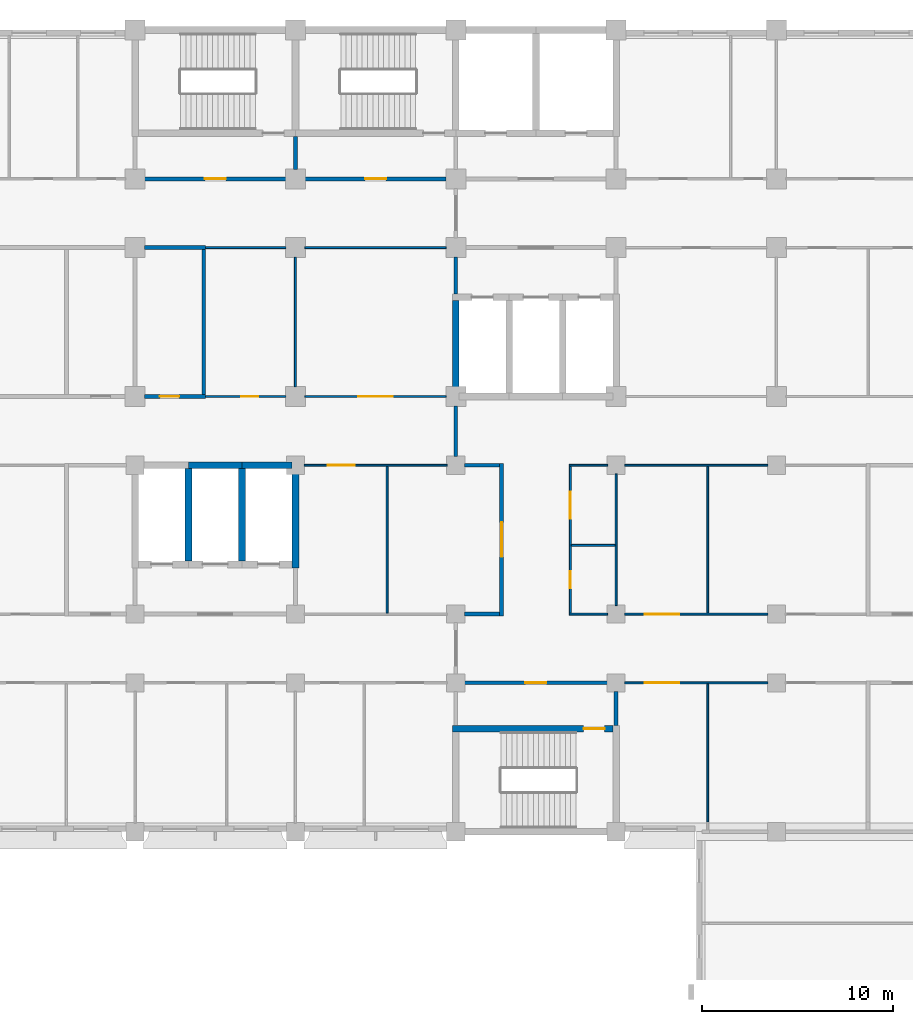
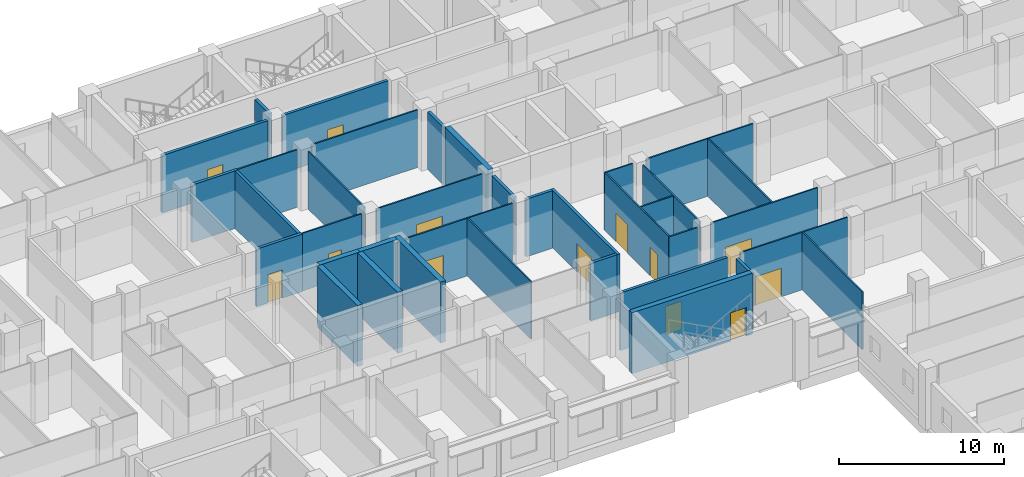
# One storey, part 86 of 136: 37 walls, 13 doors, 13 openings.
"""IFC4 building model written with IfcOpenShell, lengths in metres."""

import ifcopenshell
import ifcopenshell.guid

model = None  # the IFC model being written
_history = None  # IfcOwnerHistory: only IFC2X3 demands one
_inside = {}  # id of a spatial element -> (the spatial element, [elements in it])
_under = {}  # id of a project, library or spatial element -> (it, [spatial elements below it])
_declared = {}  # id of a project -> (the project, [libraries it declares])
_typed = {}  # id of a type object -> (the type object, [elements of that type])
_made_of = {}  # id of a material, layer set ... -> (it, [elements and type objects made of it])


def new_model(schema):
    """Start an empty IFC model of exactly this schema.

    Asked for "IFC4X3", IfcOpenShell would pick the latest addendum, in which some entities
    have other attributes; the version numbers below select the first issue.
    IFC2X3 requires an IfcOwnerHistory on every rooted entity: one is made here for all.
    """
    global model, _history
    if schema == "IFC4X3":
        model = ifcopenshell.file(schema_version=(4, 3, 0, 0))
    else:
        model = ifcopenshell.file(schema=schema)
    _inside.clear()
    _under.clear()
    _declared.clear()
    _typed.clear()
    _made_of.clear()
    _history = None
    if model.schema == "IFC2X3":
        org = make("IfcOrganization", Name="unknown")
        user = make(
            "IfcPersonAndOrganization",
            ThePerson=make("IfcPerson", FamilyName="unknown"),
            TheOrganization=org,
        )
        app = make(
            "IfcApplication",
            ApplicationDeveloper=org,
            Version="unknown",
            ApplicationFullName="unknown",
            ApplicationIdentifier="unknown",
        )
        _history = make(
            "IfcOwnerHistory",
            OwningUser=user,
            OwningApplication=app,
            ChangeAction="ADDED",
            CreationDate=0,
        )
    return model


def make(cls, **values):
    """One entity of the class cls with the attributes given. An attribute that is None is left unset."""
    return model.create_entity(
        cls, **{name: value for name, value in values.items() if value is not None}
    )


def rooted(cls, **values):
    """An entity with a GlobalId (a new one), such as an element, a storey or a relation."""
    return make(cls, GlobalId=ifcopenshell.guid.new(), OwnerHistory=_history, **values)


def si_unit(unit_type, name, prefix=None):
    """IfcSIUnit, for example si_unit("LENGTHUNIT", "METRE", prefix="MILLI")."""
    return make("IfcSIUnit", UnitType=unit_type, Prefix=prefix, Name=name)


def assignment(units):
    """IfcUnitAssignment: the units of a project."""
    return None if units is None else make("IfcUnitAssignment", Units=units)


def point(xyz):
    """IfcCartesianPoint."""
    return None if xyz is None else make("IfcCartesianPoint", Coordinates=xyz)


def direction(xyz):
    """IfcDirection."""
    return None if xyz is None else make("IfcDirection", DirectionRatios=xyz)


def frame(location, z_axis=None, x_axis=None):
    """IfcAxis2Placement3D, a coordinate frame: its origin and axes. An axis left out is left unset."""
    return make(
        "IfcAxis2Placement3D",
        Location=point(location),
        Axis=direction(z_axis),
        RefDirection=direction(x_axis),
    )


def frame_2d(location, x_axis=None):
    """IfcAxis2Placement2D, a coordinate frame in the plane: its origin and x axis."""
    return make(
        "IfcAxis2Placement2D", Location=point(location), RefDirection=direction(x_axis)
    )


def origin():
    """The frame at (0, 0, 0) with its axes left unset."""
    return frame((0.0, 0.0, 0.0))


def place(relative_to, where):
    """IfcLocalPlacement: puts the frame where relative to a parent placement (None: the world)."""
    return make(
        "IfcLocalPlacement", PlacementRelTo=relative_to, RelativePlacement=where
    )


def context(
    kind, dimensions, precision=None, world=None, true_north=None, identifier=None
):
    """IfcGeometricRepresentationContext, for example the 3D "Model" context."""
    return make(
        "IfcGeometricRepresentationContext",
        ContextIdentifier=identifier,
        ContextType=kind,
        CoordinateSpaceDimension=dimensions,
        Precision=precision,
        WorldCoordinateSystem=world,
        TrueNorth=true_north,
    )


def subcontext(parent, identifier, kind, view, scale=None):
    """IfcGeometricRepresentationSubContext, for example "Body" below "Model"."""
    return make(
        "IfcGeometricRepresentationSubContext",
        ContextIdentifier=identifier,
        ContextType=kind,
        ParentContext=parent,
        TargetScale=scale,
        TargetView=view,
    )


def project(units=None, contexts=None):
    """IfcProject with its units and contexts."""
    return rooted(
        "IfcProject",
        Name="project",
        RepresentationContexts=contexts,
        UnitsInContext=assignment(units),
    )


def spatial(cls, under=None, at=None, **own):
    """A site, building, storey or space (cls), placed at a placement, below another one or the project."""
    s = rooted(cls, ObjectPlacement=at, **own)
    if under is not None:
        _under.setdefault(under.id(), (under, []))[1].append(s)
    return s


def profile(cls, at=None, kind="AREA", **sizes):
    """A parametric profile (cls). Its sizes go by their IFC names, for example OverallWidth=200.0."""
    return make(cls, ProfileType=kind, Position=at, **sizes)


def rectangle(**sizes):
    """IfcRectangleProfileDef."""
    return profile("IfcRectangleProfileDef", **sizes)


def extrude(swept, where, along, depth):
    """IfcExtrudedAreaSolid: the profile swept, set in the frame where, extruded along a direction by depth."""
    return make(
        "IfcExtrudedAreaSolid",
        SweptArea=swept,
        Position=where,
        ExtrudedDirection=direction(along),
        Depth=depth,
    )


def shape(context_of_items, identifier, shape_type, items):
    """IfcShapeRepresentation: the items that make up one representation, for example the "Body"."""
    return make(
        "IfcShapeRepresentation",
        ContextOfItems=context_of_items,
        RepresentationIdentifier=identifier,
        RepresentationType=shape_type,
        Items=items,
    )


def material(Name=None, Category=None):
    """IfcMaterial."""
    return make("IfcMaterial", Name=Name, Category=Category)


def layer(
    of_material, thickness, ventilated=None, Name=None, Category=None, Priority=None
):
    """IfcMaterialLayer: one layer of a wall or slab, of a material (None: an air gap)."""
    return make(
        "IfcMaterialLayer",
        Material=of_material,
        LayerThickness=thickness,
        IsVentilated=ventilated,
        Name=Name,
        Category=Category,
        Priority=Priority,
    )


def layer_set(layers, Name=None):
    """IfcMaterialLayerSet."""
    return make("IfcMaterialLayerSet", MaterialLayers=layers, LayerSetName=Name)


def made_of(thing, what):
    """Note that an element or type object is made of a material, layer set ...; save() writes the relation."""
    if what is not None:
        _made_of.setdefault(what.id(), (what, []))[1].append(thing)
    return thing


def type_object(cls, material=None, **own):
    """A type object (cls), such as IfcWallType, which elements share."""
    return made_of(rooted(cls, **own), material)


def element(
    cls,
    number,
    at=None,
    inside=None,
    cuts=None,
    type_object=None,
    material=None,
    context=None,
    identifier="Body",
    shape_type=None,
    held_by="IfcProductDefinitionShape",
    body=None,
    shapes=None,
    **own,
):
    """One element of the class cls, such as IfcWall. Its Tag is "e" and its number.

    at: its placement. inside: the storey or other place that contains it. cuts: it is an
    opening in that element (IfcRelVoidsElement). A single representation is given by context,
    identifier, shape_type and body (its items); several are given by shapes. held_by: the class
    of the entity that holds the representations. save() writes the other relations.
    """
    e = rooted(cls, Tag="e%d" % number, ObjectPlacement=at, **own)
    if body is not None:
        shapes = [shape(context, identifier, shape_type, body)]
    if shapes is not None:
        e.Representation = make(held_by, Representations=shapes)
    if inside is not None:
        _inside.setdefault(inside.id(), (inside, []))[1].append(e)
    if cuts is not None:
        rooted(
            "IfcRelVoidsElement", RelatingBuildingElement=cuts, RelatedOpeningElement=e
        )
    if type_object is not None:
        _typed.setdefault(type_object.id(), (type_object, []))[1].append(e)
    return made_of(e, material)


def fill(opening, filler):
    """IfcRelFillsElement: the door or window that sits in an opening."""
    return rooted(
        "IfcRelFillsElement",
        RelatingOpeningElement=opening,
        RelatedBuildingElement=filler,
    )


def aggregate(whole, parts):
    """IfcRelAggregates: a whole, such as a stair, and the parts it consists of."""
    return rooted("IfcRelAggregates", RelatingObject=whole, RelatedObjects=parts)


def save(model, path):
    """Write the relations noted so far, then the file.

    IfcRelAggregates (storeys below a building ...), IfcRelContainedInSpatialStructure (elements
    in a storey), IfcRelDefinesByType, IfcRelAssociatesMaterial and IfcRelDeclares: one each for
    every whole, place, type object, material and project.
    """
    for whole, parts in _under.values():
        aggregate(whole, parts)
    for where, things in _inside.values():
        rooted(
            "IfcRelContainedInSpatialStructure",
            RelatedElements=things,
            RelatingStructure=where,
        )
    for kind, things in _typed.values():
        rooted("IfcRelDefinesByType", RelatedObjects=things, RelatingType=kind)
    for what, things in _made_of.values():
        rooted("IfcRelAssociatesMaterial", RelatedObjects=things, RelatingMaterial=what)
    for by, libraries in _declared.values():
        rooted("IfcRelDeclares", RelatingContext=by, RelatedDefinitions=libraries)
    model.write(path)


model = new_model("IFC4")

# Units and contexts
model_context = context("Model", 3, precision=1e-05, world=origin(), true_north=direction((0.0, 1.0)))
body_context = subcontext(model_context, "Body", "Model", "MODEL_VIEW")
ifc_project = project(units=[si_unit("LENGTHUNIT", "METRE"), si_unit("AREAUNIT", "SQUARE_METRE"), si_unit("VOLUMEUNIT", "CUBIC_METRE"), si_unit("PLANEANGLEUNIT", "RADIAN"), si_unit("MASSUNIT", "GRAM", prefix="KILO")], contexts=[model_context])

# Site, building, storey
site_placement = place(None, origin())
site = spatial("IfcSite", under=ifc_project, at=site_placement, CompositionType="ELEMENT")
building_placement = place(site_placement, origin())
building = spatial("IfcBuilding", under=site, at=building_placement, Name="Bougainvillea Quay General Hospital", CompositionType="ELEMENT")
storey_placement = place(building_placement, frame((0.0, 0.0, 5.39990234375)))
storey = spatial("IfcBuildingStorey", under=building, at=storey_placement, Name="L01", CompositionType="ELEMENT", Elevation=5.39990234375)

# Wall, opening, door
ifc_material_1 = material(Name="Gypsum board partition on steel studs", Category="steel")
ifc_layer_1 = layer(ifc_material_1, 0.10009765625)
ifc_layer_set_1 = layer_set([ifc_layer_1], Name="Gypsum board partition on steel studs")
wall_type_1 = type_object("IfcWallType", Name="Partition 100 Gypsum board partition", PredefinedType="PARTITIONING", material=ifc_layer_set_1)
wall_1_placement = place(storey_placement, frame((150.75, 136.800048828125, 0.0), z_axis=(0.0, 0.0, 1.0), x_axis=(-1.0, 0.0, 0.0)))
wall_1 = element("IfcWall", 1, at=wall_1_placement, inside=storey, type_object=wall_type_1, Name="Partition 100 mm", PredefinedType="PARTITIONING", context=body_context, shape_type="SweptSolid", body=[
    extrude(rectangle(XDim=7.5, YDim=0.10009765625, at=frame_2d((3.75, 0.0))), origin(), (0.0, 0.0, 1.0), 4.25),
])
opening_1_placement = place(wall_1_placement, frame((4.85009765625, 0.0, 0.0)))
opening_1 = element("IfcOpeningElement", 2, at=opening_1_placement, cuts=wall_1, Name="Opening L01.165", PredefinedType="OPENING", context=body_context, shape_type="SweptSolid", body=[
    extrude(rectangle(XDim=1.39990234375, YDim=2.10009765625, at=frame_2d((0.699951171875, 1.050048828125))), frame((0.0, 0.06005859375, 0.0), z_axis=(0.0, -1.0, 0.0), x_axis=(1.0, 0.0, 0.0)), (0.0, 0.0, 1.0), 0.1201171875),
])
ifc_material_2 = material(Name="Solid-core timber door leaves in steel frame", Category="steel")
door_type_1 = type_object("IfcDoorType", Name="Bed door pair 1400x2100", OperationType="DOUBLE_DOOR_SINGLE_SWING", PredefinedType="DOOR", material=ifc_material_2)
door_1_placement = place(opening_1_placement, origin())
door_1 = element("IfcDoor", 3, at=door_1_placement, inside=storey, type_object=door_type_1, Name="DT09 L01.165", OperationType="DOUBLE_DOOR_SINGLE_SWING", OverallHeight=2.10009765625, OverallWidth=1.39990234375, PredefinedType="DOOR", context=body_context, shape_type="SweptSolid", body=[
    extrude(rectangle(XDim=1.39990234375, YDim=2.10009765625, at=frame_2d((0.699951171875, 1.050048828125))), frame((0.0, 0.02490234375, 0.0), z_axis=(0.0, -1.0, 0.0), x_axis=(1.0, 0.0, 0.0)), (0.0, 0.0, 1.0), 0.050048828125),
])
fill(opening_1, door_1)

wall_2_placement = place(storey_placement, frame((167.550048828125, 129.0, 0.0), z_axis=(0.0, 0.0, 1.0), x_axis=(-1.0, 0.0, 0.0)))
wall_2 = element("IfcWall", 4, at=wall_2_placement, inside=storey, type_object=wall_type_1, Name="Partition 100 mm", PredefinedType="PARTITIONING", context=body_context, shape_type="SweptSolid", body=[
    extrude(rectangle(XDim=7.5, YDim=0.10009765625, at=frame_2d((3.75, 0.0))), origin(), (0.0, 0.0, 1.0), 4.25),
])
opening_2_placement = place(wall_2_placement, frame((4.64990234375, 0.0, 0.0)))
opening_2 = element("IfcOpeningElement", 5, at=opening_2_placement, cuts=wall_2, Name="Opening L01.174", PredefinedType="OPENING", context=body_context, shape_type="SweptSolid", body=[
    extrude(rectangle(XDim=1.800048828125, YDim=2.10009765625, at=frame_2d((0.89990234375, 1.050048828125))), frame((0.0, 0.06005859375, 0.0), z_axis=(0.0, -1.0, 0.0), x_axis=(1.0, 0.0, 0.0)), (0.0, 0.0, 1.0), 0.1201171875),
])
door_type_2 = type_object("IfcDoorType", Name="Double leaf door 1800x2100", OperationType="DOUBLE_DOOR_SINGLE_SWING", PredefinedType="DOOR", material=ifc_material_2)
door_2_placement = place(opening_2_placement, frame((1.800048828125, 0.0, 0.0), z_axis=(0.0, 0.0, 1.0), x_axis=(-1.0, 0.0, 0.0)))
door_2 = element("IfcDoor", 6, at=door_2_placement, inside=storey, type_object=door_type_2, Name="DT08 L01.174", OperationType="DOUBLE_DOOR_SINGLE_SWING", OverallHeight=2.10009765625, OverallWidth=1.800048828125, PredefinedType="DOOR", context=body_context, shape_type="SweptSolid", body=[
    extrude(rectangle(XDim=1.800048828125, YDim=2.10009765625, at=frame_2d((0.89990234375, 1.050048828125))), frame((0.0, 0.02490234375, 0.0), z_axis=(0.0, -1.0, 0.0), x_axis=(1.0, 0.0, 0.0)), (0.0, 0.0, 1.0), 0.050048828125),
])
fill(opening_2, door_2)

# Walls
wall_3_placement = place(storey_placement, frame((159.14990234375, 129.0, 0.0), z_axis=(0.0, 0.0, 1.0), x_axis=(-1.0, 0.0, 0.0)))
element("IfcWall", 7, at=wall_3_placement, inside=storey, type_object=wall_type_1, Name="Partition 100 mm", PredefinedType="PARTITIONING", context=body_context, shape_type="SweptSolid", body=[
    extrude(rectangle(XDim=2.0, YDim=0.10009765625, at=frame_2d((1.0, 0.0))), origin(), (0.0, 0.0, 1.0), 4.25),
])
wall_4_placement = place(storey_placement, frame((167.550048828125, 136.800048828125, 0.0), z_axis=(0.0, 0.0, 1.0), x_axis=(-1.0, 0.0, 0.0)))
element("IfcWall", 8, at=wall_4_placement, inside=storey, type_object=wall_type_1, Name="Partition 100 mm", PredefinedType="PARTITIONING", context=body_context, shape_type="SweptSolid", body=[
    extrude(rectangle(XDim=7.5, YDim=0.10009765625, at=frame_2d((3.75, 0.0))), origin(), (0.0, 0.0, 1.0), 4.25),
])
wall_5_placement = place(storey_placement, frame((159.14990234375, 136.800048828125, 0.0), z_axis=(0.0, 0.0, 1.0), x_axis=(-1.0, 0.0, 0.0)))
element("IfcWall", 9, at=wall_5_placement, inside=storey, type_object=wall_type_1, Name="Partition 100 mm", PredefinedType="PARTITIONING", context=body_context, shape_type="SweptSolid", body=[
    extrude(rectangle(XDim=2.0, YDim=0.10009765625, at=frame_2d((1.0, 0.0))), origin(), (0.0, 0.0, 1.0), 4.25),
])

# Wall, opening, door
wall_6_placement = place(storey_placement, frame((160.050048828125, 125.39990234375, 0.0), z_axis=(0.0, 0.0, 1.0), x_axis=(1.0, 0.0, 0.0)))
wall_6 = element("IfcWall", 10, at=wall_6_placement, inside=storey, type_object=wall_type_1, Name="Partition 100 mm", PredefinedType="PARTITIONING", context=body_context, shape_type="SweptSolid", body=[
    extrude(rectangle(XDim=7.5, YDim=0.10009765625, at=frame_2d((3.75, 0.0))), origin(), (0.0, 0.0, 1.0), 4.25),
])
opening_3_placement = place(wall_6_placement, frame((1.050048828125, 0.0, 0.0)))
opening_3 = element("IfcOpeningElement", 11, at=opening_3_placement, cuts=wall_6, Name="Opening L01.169", PredefinedType="OPENING", context=body_context, shape_type="SweptSolid", body=[
    extrude(rectangle(XDim=1.800048828125, YDim=2.10009765625, at=frame_2d((0.89990234375, 1.050048828125))), frame((0.0, 0.06005859375, 0.0), z_axis=(0.0, -1.0, 0.0), x_axis=(1.0, 0.0, 0.0)), (0.0, 0.0, 1.0), 0.1201171875),
])
door_3_placement = place(opening_3_placement, frame((1.800048828125, 0.0, 0.0), z_axis=(0.0, 0.0, 1.0), x_axis=(-1.0, 0.0, 0.0)))
door_3 = element("IfcDoor", 12, at=door_3_placement, inside=storey, type_object=door_type_2, Name="DT08 L01.169", OperationType="DOUBLE_DOOR_SINGLE_SWING", OverallHeight=2.10009765625, OverallWidth=1.800048828125, PredefinedType="DOOR", context=body_context, shape_type="SweptSolid", body=[
    extrude(rectangle(XDim=1.800048828125, YDim=2.10009765625, at=frame_2d((0.89990234375, 1.050048828125))), frame((0.0, 0.02490234375, 0.0), z_axis=(0.0, -1.0, 0.0), x_axis=(1.0, 0.0, 0.0)), (0.0, 0.0, 1.0), 0.050048828125),
])
fill(opening_3, door_3)

wall_7_placement = place(storey_placement, frame((138.10009765625, 140.39990234375, 0.0), z_axis=(0.0, 0.0, 1.0), x_axis=(1.0, 0.0, 0.0)))
wall_7 = element("IfcWall", 13, at=wall_7_placement, inside=storey, type_object=wall_type_1, Name="Partition 100 mm", PredefinedType="PARTITIONING", context=body_context, shape_type="SweptSolid", body=[
    extrude(rectangle(XDim=4.199951171875, YDim=0.10009765625, at=frame_2d((2.10009765625, 0.0))), origin(), (0.0, 0.0, 1.0), 4.25),
])
opening_4_placement = place(wall_7_placement, frame((1.85009765625, 0.0, 0.0)))
opening_4 = element("IfcOpeningElement", 14, at=opening_4_placement, cuts=wall_7, Name="Opening L01.208", PredefinedType="OPENING", context=body_context, shape_type="SweptSolid", body=[
    extrude(rectangle(XDim=0.89990234375, YDim=2.10009765625, at=frame_2d((0.449951171875, 1.050048828125))), frame((0.0, 0.06005859375, 0.0), z_axis=(0.0, -1.0, 0.0), x_axis=(1.0, 0.0, 0.0)), (0.0, 0.0, 1.0), 0.1201171875),
])
ifc_material_3 = material(Name="Solid-core timber door leaf in steel frame", Category="steel")
door_type_3 = type_object("IfcDoorType", Name="Single leaf door 900x2100", OperationType="NOTDEFINED", PredefinedType="DOOR", material=ifc_material_3)
door_4_placement = place(opening_4_placement, origin())
door_4 = element("IfcDoor", 15, at=door_4_placement, inside=storey, type_object=door_type_3, Name="DT07 L01.208", OperationType="SINGLE_SWING_RIGHT", OverallHeight=2.10009765625, OverallWidth=0.89990234375, PredefinedType="DOOR", context=body_context, shape_type="SweptSolid", body=[
    extrude(rectangle(XDim=0.89990234375, YDim=2.10009765625, at=frame_2d((0.449951171875, 1.050048828125))), frame((0.0, 0.02490234375, 0.0), z_axis=(0.0, -1.0, 0.0), x_axis=(1.0, 0.0, 0.0)), (0.0, 0.0, 1.0), 0.050048828125),
])
fill(opening_4, door_4)

wall_8_placement = place(storey_placement, frame((143.300048828125, 140.39990234375, 0.0), z_axis=(0.0, 0.0, 1.0), x_axis=(1.0, 0.0, 0.0)))
wall_8 = element("IfcWall", 16, at=wall_8_placement, inside=storey, type_object=wall_type_1, Name="Partition 100 mm", PredefinedType="PARTITIONING", context=body_context, shape_type="SweptSolid", body=[
    extrude(rectangle(XDim=7.39990234375, YDim=0.10009765625, at=frame_2d((3.699951171875, 0.0))), origin(), (0.0, 0.0, 1.0), 4.25),
])
opening_5_placement = place(wall_8_placement, frame((2.800048828125, 0.0, 0.0)))
opening_5 = element("IfcOpeningElement", 17, at=opening_5_placement, cuts=wall_8, Name="Opening L01.209", PredefinedType="OPENING", context=body_context, shape_type="SweptSolid", body=[
    extrude(rectangle(XDim=1.800048828125, YDim=2.10009765625, at=frame_2d((0.89990234375, 1.050048828125))), frame((0.0, 0.06005859375, 0.0), z_axis=(0.0, -1.0, 0.0), x_axis=(1.0, 0.0, 0.0)), (0.0, 0.0, 1.0), 0.1201171875),
])
door_5_placement = place(opening_5_placement, origin())
door_5 = element("IfcDoor", 18, at=door_5_placement, inside=storey, type_object=door_type_2, Name="DT08 L01.209", OperationType="DOUBLE_DOOR_SINGLE_SWING", OverallHeight=2.10009765625, OverallWidth=1.800048828125, PredefinedType="DOOR", context=body_context, shape_type="SweptSolid", body=[
    extrude(rectangle(XDim=1.800048828125, YDim=2.10009765625, at=frame_2d((0.89990234375, 1.050048828125))), frame((0.0, 0.02490234375, 0.0), z_axis=(0.0, -1.0, 0.0), x_axis=(1.0, 0.0, 0.0)), (0.0, 0.0, 1.0), 0.050048828125),
])
fill(opening_5, door_5)

# Walls
wall_9_placement = place(storey_placement, frame((138.10009765625, 148.199951171875, 0.0), z_axis=(0.0, 0.0, 1.0), x_axis=(1.0, 0.0, 0.0)))
element("IfcWall", 19, at=wall_9_placement, inside=storey, type_object=wall_type_1, Name="Partition 100 mm", PredefinedType="PARTITIONING", context=body_context, shape_type="SweptSolid", body=[
    extrude(rectangle(XDim=4.199951171875, YDim=0.10009765625, at=frame_2d((2.10009765625, 0.0))), origin(), (0.0, 0.0, 1.0), 4.25),
])
wall_10_placement = place(storey_placement, frame((143.300048828125, 148.199951171875, 0.0), z_axis=(0.0, 0.0, 1.0), x_axis=(1.0, 0.0, 0.0)))
element("IfcWall", 20, at=wall_10_placement, inside=storey, type_object=wall_type_1, Name="Partition 100 mm", PredefinedType="PARTITIONING", context=body_context, shape_type="SweptSolid", body=[
    extrude(rectangle(XDim=7.39990234375, YDim=0.10009765625, at=frame_2d((3.699951171875, 0.0))), origin(), (0.0, 0.0, 1.0), 4.25),
])
wall_11_placement = place(storey_placement, frame((147.60009765625, 129.050048828125, 0.0), z_axis=(0.0, 0.0, 1.0), x_axis=(0.0, 1.0, 0.0)))
element("IfcWall", 21, at=wall_11_placement, inside=storey, type_object=wall_type_1, Name="Partition 100 mm", PredefinedType="PARTITIONING", context=body_context, shape_type="SweptSolid", body=[
    extrude(rectangle(XDim=7.699951171875, YDim=0.10009765625, at=frame_2d((3.85009765625, 0.0))), origin(), (0.0, 0.0, 1.0), 4.25),
])

# Wall, openings, doors
wall_12_placement = place(storey_placement, frame((157.199951171875, 129.050048828125, 0.0), z_axis=(0.0, 0.0, 1.0), x_axis=(0.0, 1.0, 0.0)))
wall_12 = element("IfcWall", 22, at=wall_12_placement, inside=storey, type_object=wall_type_1, Name="Partition 100 mm", PredefinedType="PARTITIONING", context=body_context, shape_type="SweptSolid", body=[
    extrude(rectangle(XDim=7.699951171875, YDim=0.10009765625, at=frame_2d((3.85009765625, 0.0))), origin(), (0.0, 0.0, 1.0), 4.25),
])
opening_6_placement = place(wall_12_placement, frame((1.300048828125, 0.0, 0.0)))
opening_6 = element("IfcOpeningElement", 23, at=opening_6_placement, cuts=wall_12, Name="Opening L01.167", PredefinedType="OPENING", context=body_context, shape_type="SweptSolid", body=[
    extrude(rectangle(XDim=0.89990234375, YDim=2.10009765625, at=frame_2d((0.449951171875, 1.050048828125))), frame((0.0, 0.06005859375, 0.0), z_axis=(0.0, -1.0, 0.0), x_axis=(1.0, 0.0, 0.0)), (0.0, 0.0, 1.0), 0.1201171875),
])
opening_7_placement = place(wall_12_placement, frame((4.949951171875, 0.0, 0.0)))
opening_7 = element("IfcOpeningElement", 24, at=opening_7_placement, cuts=wall_12, Name="Opening L01.168", PredefinedType="OPENING", context=body_context, shape_type="SweptSolid", body=[
    extrude(rectangle(XDim=1.39990234375, YDim=2.10009765625, at=frame_2d((0.699951171875, 1.050048828125))), frame((0.0, 0.06005859375, 0.0), z_axis=(0.0, -1.0, 0.0), x_axis=(1.0, 0.0, 0.0)), (0.0, 0.0, 1.0), 0.1201171875),
])
door_6_placement = place(opening_7_placement, frame((1.39990234375, 0.0, 0.0), z_axis=(0.0, 0.0, 1.0), x_axis=(-1.0, 0.0, 0.0)))
door_6 = element("IfcDoor", 25, at=door_6_placement, inside=storey, type_object=door_type_1, Name="DT09 L01.168", OperationType="DOUBLE_DOOR_SINGLE_SWING", OverallHeight=2.10009765625, OverallWidth=1.39990234375, PredefinedType="DOOR", context=body_context, shape_type="SweptSolid", body=[
    extrude(rectangle(XDim=1.39990234375, YDim=2.10009765625, at=frame_2d((0.699951171875, 1.050048828125))), frame((0.0, 0.02490234375, 0.0), z_axis=(0.0, -1.0, 0.0), x_axis=(1.0, 0.0, 0.0)), (0.0, 0.0, 1.0), 0.050048828125),
])
fill(opening_7, door_6)
door_7_placement = place(opening_6_placement, frame((0.89990234375, 0.0, 0.0), z_axis=(0.0, 0.0, 1.0), x_axis=(-1.0, 0.0, 0.0)))
door_7 = element("IfcDoor", 26, at=door_7_placement, inside=storey, type_object=door_type_3, Name="DT07 L01.167", OperationType="SINGLE_SWING_RIGHT", OverallHeight=2.10009765625, OverallWidth=0.89990234375, PredefinedType="DOOR", context=body_context, shape_type="SweptSolid", body=[
    extrude(rectangle(XDim=0.89990234375, YDim=2.10009765625, at=frame_2d((0.449951171875, 1.050048828125))), frame((0.0, 0.02490234375, 0.0), z_axis=(0.0, -1.0, 0.0), x_axis=(1.0, 0.0, 0.0)), (0.0, 0.0, 1.0), 0.050048828125),
])
fill(opening_6, door_7)

# Walls
wall_13_placement = place(storey_placement, frame((159.60009765625, 129.449951171875, 0.0), z_axis=(0.0, 0.0, 1.0), x_axis=(0.0, 1.0, 0.0)))
element("IfcWall", 27, at=wall_13_placement, inside=storey, type_object=wall_type_1, Name="Partition 100 mm", PredefinedType="PARTITIONING", context=body_context, shape_type="SweptSolid", body=[
    extrude(rectangle(XDim=6.900146484375, YDim=0.10009765625, at=frame_2d((3.4501953125, 0.0))), origin(), (0.0, 0.0, 1.0), 4.25),
])
wall_14_placement = place(storey_placement, frame((164.39990234375, 118.10009765625, 0.0), z_axis=(0.0, 0.0, 1.0), x_axis=(0.0, 1.0, 0.0)))
element("IfcWall", 28, at=wall_14_placement, inside=storey, type_object=wall_type_1, Name="Partition 100 mm", PredefinedType="PARTITIONING", context=body_context, shape_type="SweptSolid", body=[
    extrude(rectangle(XDim=7.25, YDim=0.10009765625, at=frame_2d((3.625, 0.0))), origin(), (0.0, 0.0, 1.0), 4.25),
])
wall_15_placement = place(storey_placement, frame((164.39990234375, 129.050048828125, 0.0), z_axis=(0.0, 0.0, 1.0), x_axis=(0.0, 1.0, 0.0)))
element("IfcWall", 29, at=wall_15_placement, inside=storey, type_object=wall_type_1, Name="Partition 100 mm", PredefinedType="PARTITIONING", context=body_context, shape_type="SweptSolid", body=[
    extrude(rectangle(XDim=7.699951171875, YDim=0.10009765625, at=frame_2d((3.85009765625, 0.0))), origin(), (0.0, 0.0, 1.0), 4.25),
])
wall_16_placement = place(storey_placement, frame((142.800048828125, 140.89990234375, 0.0), z_axis=(0.0, 0.0, 1.0), x_axis=(0.0, 1.0, 0.0)))
element("IfcWall", 30, at=wall_16_placement, inside=storey, type_object=wall_type_1, Name="Partition 100 mm", PredefinedType="PARTITIONING", context=body_context, shape_type="SweptSolid", body=[
    extrude(rectangle(XDim=6.800048828125, YDim=0.10009765625, at=frame_2d((3.39990234375, 0.0))), origin(), (0.0, 0.0, 1.0), 4.25),
])
wall_17_placement = place(storey_placement, frame((157.25, 132.60009765625, 0.0), z_axis=(0.0, 0.0, 1.0), x_axis=(1.0, 0.0, 0.0)))
element("IfcWall", 31, at=wall_17_placement, inside=storey, type_object=wall_type_1, Name="Partition 100 mm", PredefinedType="PARTITIONING", context=body_context, shape_type="SweptSolid", body=[
    extrude(rectangle(XDim=2.300048828125, YDim=0.10009765625, at=frame_2d((1.14990234375, 0.0))), origin(), (0.0, 0.0, 1.0), 4.25),
])

# Wall, opening, door
ifc_material_4 = material(Name="Fire-rated autoclaved aerated block wall, plastered")
ifc_layer_2 = layer(ifc_material_4, 0.199951171875)
ifc_layer_set_2 = layer_set([ifc_layer_2], Name="Fire-rated autoclaved aerated block wall, plastered")
wall_type_2 = type_object("IfcWallType", Name="Partition 200 Fire-rated autoclaved aerated block wall EI 120", PredefinedType="SOLIDWALL", material=ifc_layer_set_2)
wall_18_placement = place(storey_placement, frame((150.699951171875, 151.800048828125, 0.0), z_axis=(0.0, 0.0, 1.0), x_axis=(-1.0, 0.0, 0.0)))
wall_18 = element("IfcWall", 32, at=wall_18_placement, inside=storey, type_object=wall_type_2, Name="Partition 200 mm EI 120", PredefinedType="SOLIDWALL", context=body_context, shape_type="SweptSolid", body=[
    extrude(rectangle(XDim=7.39990234375, YDim=0.199951171875, at=frame_2d((3.699951171875, 0.0))), origin(), (0.0, 0.0, 1.0), 4.25),
])
opening_8_placement = place(wall_18_placement, frame((3.14990234375, 0.0, 0.0)))
opening_8 = element("IfcOpeningElement", 33, at=opening_8_placement, cuts=wall_18, Name="Opening L01.045", PredefinedType="OPENING", context=body_context, shape_type="SweptSolid", body=[
    extrude(rectangle(XDim=1.10009765625, YDim=2.10009765625, at=frame_2d((0.550048828125, 1.050048828125))), frame((0.0, 0.10986328125, 0.0), z_axis=(0.0, -1.0, 0.0), x_axis=(1.0, 0.0, 0.0)), (0.0, 0.0, 1.0), 0.219970703125),
])
ifc_material_5 = material(Name="Steel fire door leaf in steel frame", Category="steel")
door_type_4 = type_object("IfcDoorType", Name="Steel single leaf door 1100x2100 FD60", OperationType="NOTDEFINED", PredefinedType="DOOR", material=ifc_material_5)
door_8_placement = place(opening_8_placement, frame((1.10009765625, 0.0, 0.0), z_axis=(0.0, 0.0, 1.0), x_axis=(-1.0, 0.0, 0.0)))
door_8 = element("IfcDoor", 34, at=door_8_placement, inside=storey, type_object=door_type_4, Name="DT04 L01.045", OperationType="SINGLE_SWING_RIGHT", OverallHeight=2.10009765625, OverallWidth=1.10009765625, PredefinedType="DOOR", context=body_context, shape_type="SweptSolid", body=[
    extrude(rectangle(XDim=1.10009765625, YDim=2.10009765625, at=frame_2d((0.550048828125, 1.050048828125))), frame((0.0, 0.02490234375, 0.0), z_axis=(0.0, -1.0, 0.0), x_axis=(1.0, 0.0, 0.0)), (0.0, 0.0, 1.0), 0.050048828125),
])
fill(opening_8, door_8)

wall_19_placement = place(storey_placement, frame((142.300048828125, 151.800048828125, 0.0), z_axis=(0.0, 0.0, 1.0), x_axis=(-1.0, 0.0, 0.0)))
wall_19 = element("IfcWall", 35, at=wall_19_placement, inside=storey, type_object=wall_type_2, Name="Partition 200 mm EI 120", PredefinedType="SOLIDWALL", context=body_context, shape_type="SweptSolid", body=[
    extrude(rectangle(XDim=7.400146484375, YDim=0.199951171875, at=frame_2d((3.7001953125, 0.0))), origin(), (0.0, 0.0, 1.0), 4.25),
])
opening_9_placement = place(wall_19_placement, frame((3.14990234375, 0.0, 0.0)))
opening_9 = element("IfcOpeningElement", 36, at=opening_9_placement, cuts=wall_19, Name="Opening L01.037", PredefinedType="OPENING", context=body_context, shape_type="SweptSolid", body=[
    extrude(rectangle(XDim=1.10009765625, YDim=2.10009765625, at=frame_2d((0.550048828125, 1.050048828125))), frame((0.0, 0.10986328125, 0.0), z_axis=(0.0, -1.0, 0.0), x_axis=(1.0, 0.0, 0.0)), (0.0, 0.0, 1.0), 0.219970703125),
])
door_9_placement = place(opening_9_placement, frame((1.10009765625, 0.0, 0.0), z_axis=(0.0, 0.0, 1.0), x_axis=(-1.0, 0.0, 0.0)))
door_9 = element("IfcDoor", 37, at=door_9_placement, inside=storey, type_object=door_type_4, Name="DT04 L01.037", OperationType="SINGLE_SWING_RIGHT", OverallHeight=2.10009765625, OverallWidth=1.10009765625, PredefinedType="DOOR", context=body_context, shape_type="SweptSolid", body=[
    extrude(rectangle(XDim=1.10009765625, YDim=2.10009765625, at=frame_2d((0.550048828125, 1.050048828125))), frame((0.0, 0.02490234375, 0.0), z_axis=(0.0, -1.0, 0.0), x_axis=(1.0, 0.0, 0.0)), (0.0, 0.0, 1.0), 0.050048828125),
])
fill(opening_9, door_9)

# Wall
wall_20_placement = place(storey_placement, frame((151.199951171875, 147.699951171875, 0.0), z_axis=(0.0, 0.0, 1.0), x_axis=(0.0, -1.0, 0.0)))
element("IfcWall", 38, at=wall_20_placement, inside=storey, type_object=wall_type_2, Name="Partition 200 mm EI 120", PredefinedType="SOLIDWALL", context=body_context, shape_type="SweptSolid", body=[
    extrude(rectangle(XDim=1.925048828125, YDim=0.199951171875, at=frame_2d((0.96240234375, 0.0))), origin(), (0.0, 0.0, 1.0), 4.25),
])

# Wall, opening, door
wall_21_placement = place(storey_placement, frame((151.64990234375, 125.39990234375, 0.0), z_axis=(0.0, 0.0, 1.0), x_axis=(1.0, 0.0, 0.0)))
wall_21 = element("IfcWall", 39, at=wall_21_placement, inside=storey, type_object=wall_type_2, Name="Partition 200 mm EI 120", PredefinedType="SOLIDWALL", context=body_context, shape_type="SweptSolid", body=[
    extrude(rectangle(XDim=7.5, YDim=0.199951171875, at=frame_2d((3.75, 0.0))), origin(), (0.0, 0.0, 1.0), 4.25),
])
opening_10_placement = place(wall_21_placement, frame((3.199951171875, 0.0, 0.0)))
opening_10 = element("IfcOpeningElement", 40, at=opening_10_placement, cuts=wall_21, Name="Opening L01.042", PredefinedType="OPENING", context=body_context, shape_type="SweptSolid", body=[
    extrude(rectangle(XDim=1.10009765625, YDim=2.10009765625, at=frame_2d((0.550048828125, 1.050048828125))), frame((0.0, 0.10986328125, 0.0), z_axis=(0.0, -1.0, 0.0), x_axis=(1.0, 0.0, 0.0)), (0.0, 0.0, 1.0), 0.219970703125),
])
door_10_placement = place(opening_10_placement, frame((1.10009765625, 0.0, 0.0), z_axis=(0.0, 0.0, 1.0), x_axis=(-1.0, 0.0, 0.0)))
door_10 = element("IfcDoor", 41, at=door_10_placement, inside=storey, type_object=door_type_4, Name="DT04 L01.042", OperationType="SINGLE_SWING_LEFT", OverallHeight=2.10009765625, OverallWidth=1.10009765625, PredefinedType="DOOR", context=body_context, shape_type="SweptSolid", body=[
    extrude(rectangle(XDim=1.10009765625, YDim=2.10009765625, at=frame_2d((0.550048828125, 1.050048828125))), frame((0.0, 0.02490234375, 0.0), z_axis=(0.0, -1.0, 0.0), x_axis=(1.0, 0.0, 0.0)), (0.0, 0.0, 1.0), 0.050048828125),
])
fill(opening_10, door_10)

wall_22_placement = place(storey_placement, frame((153.60009765625, 128.89990234375, 0.0), z_axis=(0.0, 0.0, 1.0), x_axis=(0.0, 1.0, 0.0)))
wall_22 = element("IfcWall", 42, at=wall_22_placement, inside=storey, type_object=wall_type_2, Name="Partition 200 mm EI 120", PredefinedType="SOLIDWALL", context=body_context, shape_type="SweptSolid", body=[
    extrude(rectangle(XDim=8.0, YDim=0.199951171875, at=frame_2d((4.0, 0.0))), origin(), (0.0, 0.0, 1.0), 4.25),
])
opening_11_placement = place(wall_22_placement, frame((3.10009765625, 0.0, 0.0)))
opening_11 = element("IfcOpeningElement", 43, at=opening_11_placement, cuts=wall_22, Name="Opening L01.166", PredefinedType="OPENING", context=body_context, shape_type="SweptSolid", body=[
    extrude(rectangle(XDim=1.800048828125, YDim=2.10009765625, at=frame_2d((0.89990234375, 1.050048828125))), frame((0.0, 0.10986328125, 0.0), z_axis=(0.0, -1.0, 0.0), x_axis=(1.0, 0.0, 0.0)), (0.0, 0.0, 1.0), 0.219970703125),
])
ifc_material_6 = material(Name="Steel fire door leaves in steel frame", Category="steel")
door_type_5 = type_object("IfcDoorType", Name="Steel double leaf door 1800x2100 FD90", OperationType="DOUBLE_DOOR_SINGLE_SWING", PredefinedType="DOOR", material=ifc_material_6)
door_11_placement = place(opening_11_placement, origin())
door_11 = element("IfcDoor", 44, at=door_11_placement, inside=storey, type_object=door_type_5, Name="DT03 L01.166", OperationType="DOUBLE_DOOR_SINGLE_SWING", OverallHeight=2.10009765625, OverallWidth=1.800048828125, PredefinedType="DOOR", context=body_context, shape_type="SweptSolid", body=[
    extrude(rectangle(XDim=1.800048828125, YDim=2.10009765625, at=frame_2d((0.89990234375, 1.050048828125))), frame((0.0, 0.02490234375, 0.0), z_axis=(0.0, -1.0, 0.0), x_axis=(1.0, 0.0, 0.0)), (0.0, 0.0, 1.0), 0.050048828125),
])
fill(opening_11, door_11)

# Walls
wall_23_placement = place(storey_placement, frame((151.199951171875, 137.25, 0.0), z_axis=(0.0, 0.0, 1.0), x_axis=(0.0, 1.0, 0.0)))
element("IfcWall", 45, at=wall_23_placement, inside=storey, type_object=wall_type_2, Name="Partition 200 mm EI 120", PredefinedType="SOLIDWALL", context=body_context, shape_type="SweptSolid", body=[
    extrude(rectangle(XDim=2.64990234375, YDim=0.199951171875, at=frame_2d((1.324951171875, 0.0))), origin(), (0.0, 0.0, 1.0), 4.25),
])
for number, where, z_axis, x_axis, name in (
    (46, (151.64990234375, 129.0, 0.0), (0.0, 0.0, 1.0), (1.0, 0.0, 0.0), "Partition 200 mm EI 120"),
    (47, (151.64990234375, 136.800048828125, 0.0), (0.0, 0.0, 1.0), (1.0, 0.0, 0.0), "Partition 200 mm EI 120"),
):
    element("IfcWall", number, at=place(storey_placement, frame(where, z_axis=z_axis, x_axis=x_axis)), inside=storey, type_object=wall_type_2, Name=name, PredefinedType="SOLIDWALL", context=body_context, shape_type="SweptSolid", body=[
        extrude(rectangle(XDim=1.85009765625, YDim=0.199951171875, at=frame_2d((0.925048828125, 0.0))), origin(), (0.0, 0.0, 1.0), 4.25),
    ])
wall_24_placement = place(storey_placement, frame((159.60009765625, 123.175048828125, 0.0), z_axis=(0.0, 0.0, 1.0), x_axis=(0.0, 1.0, 0.0)))
element("IfcWall", 48, at=wall_24_placement, inside=storey, type_object=wall_type_2, Name="Partition 200 mm EI 120", PredefinedType="SOLIDWALL", context=body_context, shape_type="SweptSolid", body=[
    extrude(rectangle(XDim=1.77490234375, YDim=0.199951171875, at=frame_2d((0.887451171875, 0.0))), origin(), (0.0, 0.0, 1.0), 4.25),
])
wall_25_placement = place(storey_placement, frame((142.800048828125, 152.300048828125, 0.0), z_axis=(0.0, 0.0, 1.0), x_axis=(0.0, 1.0, 0.0)))
element("IfcWall", 49, at=wall_25_placement, inside=storey, type_object=wall_type_2, Name="Partition 200 mm EI 120", PredefinedType="SOLIDWALL", context=body_context, shape_type="SweptSolid", body=[
    extrude(rectangle(XDim=1.724853515625, YDim=0.199951171875, at=frame_2d((0.8623046875, 0.0))), origin(), (0.0, 0.0, 1.0), 4.25),
])

# Wall, opening, door
ifc_layer_3 = layer(ifc_material_4, 0.199951171875)
ifc_layer_set_3 = layer_set([ifc_layer_3], Name="Fire-rated autoclaved aerated block wall, plastered")
wall_type_3 = type_object("IfcWallType", Name="Partition 200 Fire-rated autoclaved aerated block wall EI 60", PredefinedType="SOLIDWALL", material=ifc_layer_set_3)
wall_26_placement = place(storey_placement, frame((138.10009765625, 140.39990234375, 0.0), z_axis=(0.0, 0.0, 1.0), x_axis=(-1.0, 0.0, 0.0)))
wall_26 = element("IfcWall", 50, at=wall_26_placement, inside=storey, type_object=wall_type_3, Name="Partition 200 mm EI 60", PredefinedType="SOLIDWALL", context=body_context, shape_type="SweptSolid", body=[
    extrude(rectangle(XDim=3.2001953125, YDim=0.199951171875, at=frame_2d((1.60009765625, 0.0))), origin(), (0.0, 0.0, 1.0), 4.25),
])
opening_12_placement = place(wall_26_placement, frame((1.39990234375, 0.0, 0.0)))
opening_12 = element("IfcOpeningElement", 51, at=opening_12_placement, cuts=wall_26, Name="Opening L01.207", PredefinedType="OPENING", context=body_context, shape_type="SweptSolid", body=[
    extrude(rectangle(XDim=1.0, YDim=2.10009765625, at=frame_2d((0.5, 1.050048828125))), frame((0.0, 0.10986328125, 0.0), z_axis=(0.0, -1.0, 0.0), x_axis=(1.0, 0.0, 0.0)), (0.0, 0.0, 1.0), 0.219970703125),
])
door_type_6 = type_object("IfcDoorType", Name="Steel single leaf door 1000x2100 FD60", OperationType="NOTDEFINED", PredefinedType="DOOR", material=ifc_material_5)
door_12_placement = place(opening_12_placement, frame((1.0, 0.0, 0.0), z_axis=(0.0, 0.0, 1.0), x_axis=(-1.0, 0.0, 0.0)))
door_12 = element("IfcDoor", 52, at=door_12_placement, inside=storey, type_object=door_type_6, Name="DT10 L01.207", OperationType="SINGLE_SWING_LEFT", OverallHeight=2.10009765625, OverallWidth=1.0, PredefinedType="DOOR", context=body_context, shape_type="SweptSolid", body=[
    extrude(rectangle(XDim=1.0, YDim=2.10009765625, at=frame_2d((0.5, 1.050048828125))), frame((0.0, 0.02490234375, 0.0), z_axis=(0.0, -1.0, 0.0), x_axis=(1.0, 0.0, 0.0)), (0.0, 0.0, 1.0), 0.050048828125),
])
fill(opening_12, door_12)

# Walls
wall_27_placement = place(storey_placement, frame((138.10009765625, 148.199951171875, 0.0), z_axis=(0.0, 0.0, 1.0), x_axis=(-1.0, 0.0, 0.0)))
element("IfcWall", 53, at=wall_27_placement, inside=storey, type_object=wall_type_3, Name="Partition 200 mm EI 60", PredefinedType="SOLIDWALL", context=body_context, shape_type="SweptSolid", body=[
    extrude(rectangle(XDim=3.2001953125, YDim=0.199951171875, at=frame_2d((1.60009765625, 0.0))), origin(), (0.0, 0.0, 1.0), 4.25),
])
wall_28_placement = place(storey_placement, frame((138.0, 140.5, 0.0), z_axis=(0.0, 0.0, 1.0), x_axis=(0.0, 1.0, 0.0)))
element("IfcWall", 54, at=wall_28_placement, inside=storey, type_object=wall_type_3, Name="Partition 200 mm EI 60", PredefinedType="SOLIDWALL", context=body_context, shape_type="SweptSolid", body=[
    extrude(rectangle(XDim=7.60009765625, YDim=0.199951171875, at=frame_2d((3.800048828125, 0.0))), origin(), (0.0, 0.0, 1.0), 4.25),
])
ifc_material_7 = material(Name="Concrete C40", Category="concrete")
ifc_layer_4 = layer(ifc_material_7, 0.35009765625)
ifc_layer_set_4 = layer_set([ifc_layer_4], Name="Concrete C40")
wall_type_4 = type_object("IfcWallType", Name="RC SHEAR WALL 350 C40", PredefinedType="SHEAR", material=ifc_layer_set_4)
wall_29_placement = place(storey_placement, frame((137.199951171875, 131.77490234375, 0.0), z_axis=(0.0, 0.0, 1.0), x_axis=(0.0, 1.0, 0.0)))
element("IfcWall", 55, at=wall_29_placement, inside=storey, type_object=wall_type_4, Name="Shear wall L01", PredefinedType="SHEAR", context=body_context, shape_type="SweptSolid", body=[
    extrude(rectangle(XDim=4.85009765625, YDim=0.35009765625, at=frame_2d((2.425048828125, 0.0))), origin(), (0.0, 0.0, 1.0), 4.5),
])
wall_30_placement = place(storey_placement, frame((137.199951171875, 136.800048828125, 0.0), z_axis=(0.0, 0.0, 1.0), x_axis=(1.0, 0.0, 0.0)))
element("IfcWall", 56, at=wall_30_placement, inside=storey, type_object=wall_type_4, Name="Shear wall L01", PredefinedType="SHEAR", context=body_context, shape_type="SweptSolid", body=[
    extrude(rectangle(XDim=2.800048828125, YDim=0.35009765625, at=frame_2d((1.39990234375, 0.0))), origin(), (0.0, 0.0, 1.0), 4.5),
])
wall_31_placement = place(storey_placement, frame((140.0, 131.77490234375, 0.0), z_axis=(0.0, 0.0, 1.0), x_axis=(0.0, 1.0, 0.0)))
element("IfcWall", 57, at=wall_31_placement, inside=storey, type_object=wall_type_4, Name="Shear wall L01", PredefinedType="SHEAR", context=body_context, shape_type="SweptSolid", body=[
    extrude(rectangle(XDim=4.85009765625, YDim=0.35009765625, at=frame_2d((2.425048828125, 0.0))), origin(), (0.0, 0.0, 1.0), 4.5),
])
wall_32_placement = place(storey_placement, frame((140.0, 136.800048828125, 0.0), z_axis=(0.0, 0.0, 1.0), x_axis=(1.0, 0.0, 0.0)))
element("IfcWall", 58, at=wall_32_placement, inside=storey, type_object=wall_type_4, Name="Shear wall L01", PredefinedType="SHEAR", context=body_context, shape_type="SweptSolid", body=[
    extrude(rectangle(XDim=2.625, YDim=0.35009765625, at=frame_2d((1.3125, 0.0))), origin(), (0.0, 0.0, 1.0), 4.5),
])
wall_33_placement = place(storey_placement, frame((142.800048828125, 131.425048828125, 0.0), z_axis=(0.0, 0.0, 1.0), x_axis=(0.0, 1.0, 0.0)))
element("IfcWall", 59, at=wall_33_placement, inside=storey, type_object=wall_type_4, Name="Shear wall L01", PredefinedType="SHEAR", context=body_context, shape_type="SweptSolid", body=[
    extrude(rectangle(XDim=5.550048828125, YDim=0.35009765625, at=frame_2d((2.77490234375, 0.0))), origin(), (0.0, 0.0, 1.0), 4.5),
])

# Wall, opening, door
wall_34_placement = place(storey_placement, frame((151.02490234375, 123.0, 0.0), z_axis=(0.0, 0.0, 1.0), x_axis=(1.0, 0.0, 0.0)))
wall_34 = element("IfcWall", 60, at=wall_34_placement, inside=storey, type_object=wall_type_4, Name="Shear wall L01", PredefinedType="SHEAR", context=body_context, shape_type="SweptSolid", body=[
    extrude(rectangle(XDim=8.400146484375, YDim=0.35009765625, at=frame_2d((4.2001953125, 0.0))), origin(), (0.0, 0.0, 1.0), 4.5),
])
opening_13_placement = place(wall_34_placement, frame((6.875, 0.0, 0.0)))
opening_13 = element("IfcOpeningElement", 61, at=opening_13_placement, cuts=wall_34, Name="Opening L01.026", PredefinedType="OPENING", context=body_context, shape_type="SweptSolid", body=[
    extrude(rectangle(XDim=1.10009765625, YDim=2.10009765625, at=frame_2d((0.550048828125, 1.050048828125))), frame((0.0, 0.18505859375, 0.0), z_axis=(0.0, -1.0, 0.0), x_axis=(1.0, 0.0, 0.0)), (0.0, 0.0, 1.0), 0.3701171875),
])
door_13_placement = place(opening_13_placement, frame((1.10009765625, 0.0, 0.0), z_axis=(0.0, 0.0, 1.0), x_axis=(-1.0, 0.0, 0.0)))
door_13 = element("IfcDoor", 62, at=door_13_placement, inside=storey, type_object=door_type_4, Name="DT04 L01.026", OperationType="SINGLE_SWING_LEFT", OverallHeight=2.10009765625, OverallWidth=1.10009765625, PredefinedType="DOOR", context=body_context, shape_type="SweptSolid", body=[
    extrude(rectangle(XDim=1.10009765625, YDim=2.10009765625, at=frame_2d((0.550048828125, 1.050048828125))), frame((0.0, 0.02490234375, 0.0), z_axis=(0.0, -1.0, 0.0), x_axis=(1.0, 0.0, 0.0)), (0.0, 0.0, 1.0), 0.050048828125),
])
fill(opening_13, door_13)

# Wall
wall_35_placement = place(storey_placement, frame((151.199951171875, 140.22509765625, 0.0), z_axis=(0.0, 0.0, 1.0), x_axis=(0.0, 1.0, 0.0)))
element("IfcWall", 63, at=wall_35_placement, inside=storey, type_object=wall_type_4, Name="Shear wall L01", PredefinedType="SHEAR", context=body_context, shape_type="SweptSolid", body=[
    extrude(rectangle(XDim=5.199951171875, YDim=0.35009765625, at=frame_2d((2.60009765625, 0.0))), origin(), (0.0, 0.0, 1.0), 4.5),
])

save(model, "model.ifc")
